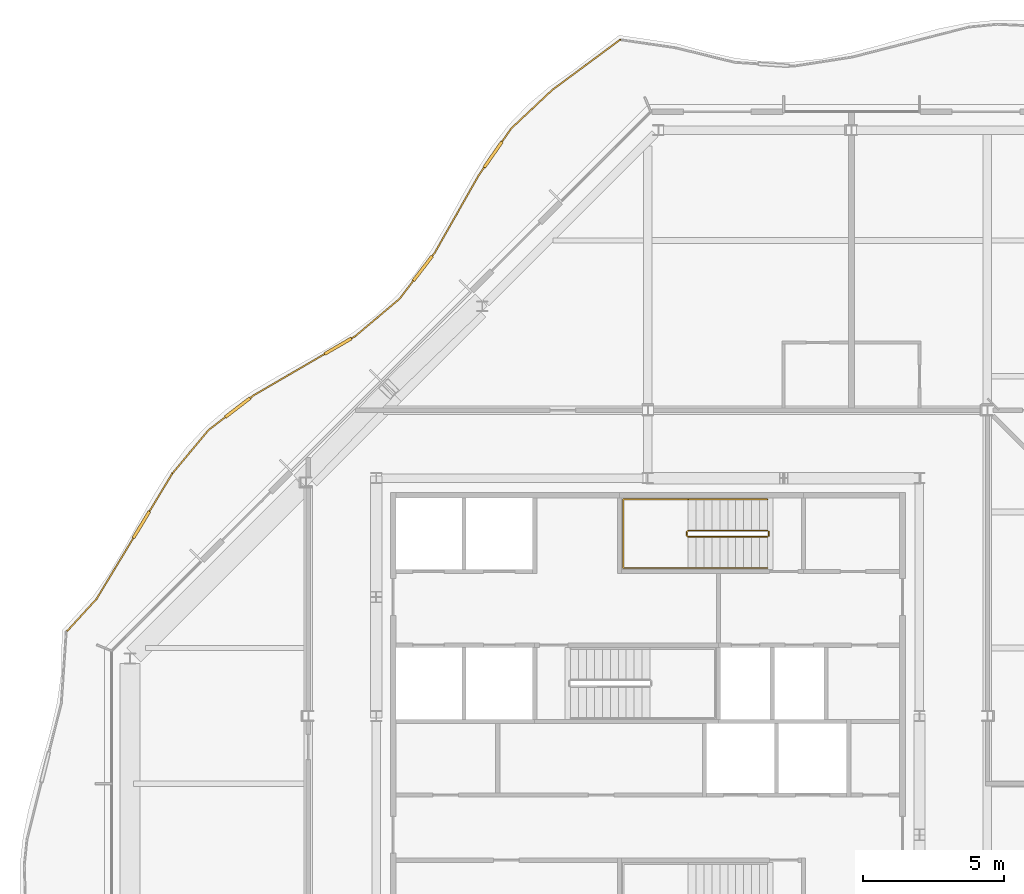
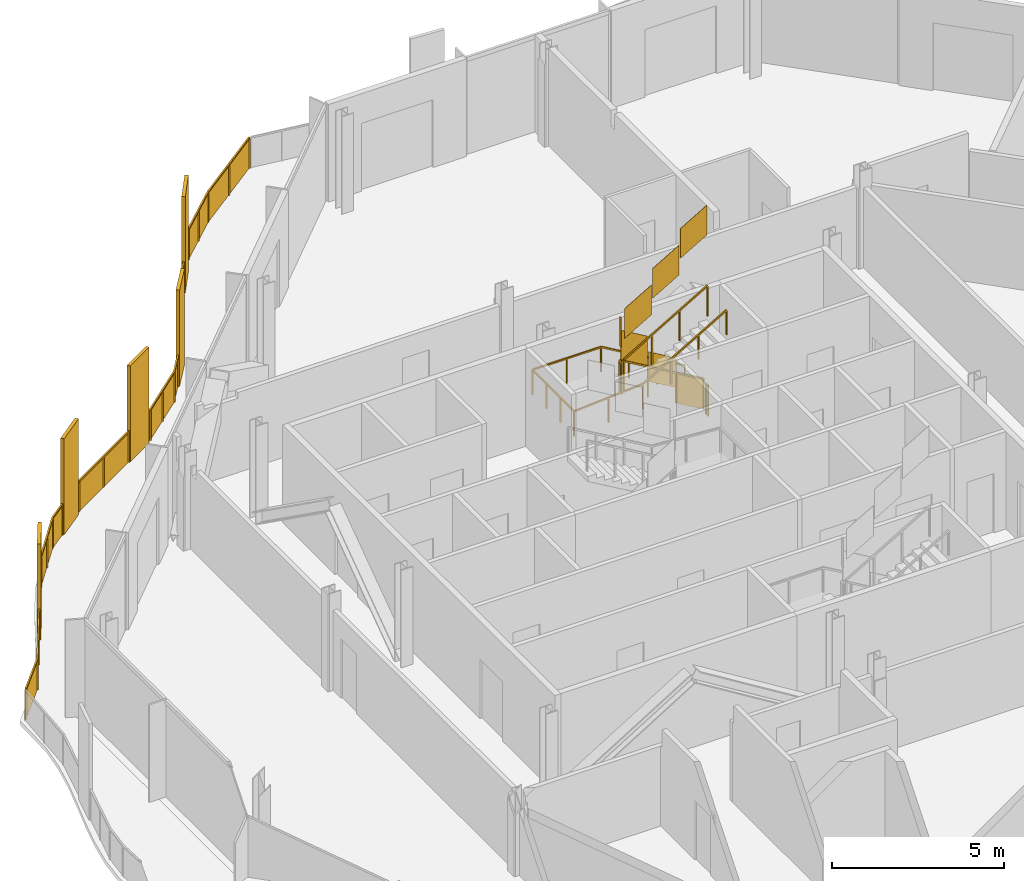
# One storey, part 15 of 16: 4 railings.
"""IFC4 building model written with IfcOpenShell, lengths in metres."""

from ifc_helpers import new_model, si_unit, direction, frame, origin, origin_2d, place, context, subcontext, project, spatial, polyline, rectangle, outline, extrude, material, type_object, element, save


model = new_model("IFC4")

# Units and contexts
model_context = context("Model", 3, precision=1e-05, world=origin(), true_north=direction((0.0, 1.0)))
body_context = subcontext(model_context, "Body", "Model", "MODEL_VIEW")
ifc_project = project(units=[si_unit("LENGTHUNIT", "METRE"), si_unit("AREAUNIT", "SQUARE_METRE"), si_unit("VOLUMEUNIT", "CUBIC_METRE"), si_unit("PLANEANGLEUNIT", "RADIAN"), si_unit("MASSUNIT", "GRAM", prefix="KILO")], contexts=[model_context])

# Site, building, storey
site_placement = place(None, origin())
site = spatial("IfcSite", under=ifc_project, at=site_placement, CompositionType="ELEMENT")
building_placement = place(site_placement, origin())
building = spatial("IfcBuilding", under=site, at=building_placement, Name="Cairn Pilgrim Tower", CompositionType="ELEMENT")
storey_placement = place(building_placement, frame((0.0, 0.0, 288.60009765625)))
storey = spatial("IfcBuildingStorey", under=building, at=storey_placement, Name="L74", CompositionType="ELEMENT", Elevation=288.60009765625)

# Railings
ifc_material_1 = material(Name="Bronze anodised aluminium rail, posts and fin screens with laminated glass infill", Category="aluminium")
railing_type_1 = type_object("IfcRailingType", Name="BALCONY GUARD WITH FIN SCREENS", PredefinedType="GUARDRAIL", material=ifc_material_1)
railing_1_placement = place(storey_placement, frame((6.222412109375, 26.2978515625, 0.0)))
element("IfcRailing", 1, at=railing_1_placement, inside=storey, type_object=railing_type_1, Name="Balcony guard BGF-6 with fin screens", PredefinedType="GUARDRAIL", context=body_context, shape_type="SweptSolid", body=[
    extrude(rectangle(XDim=0.050048828125, YDim=0.050048828125, at=origin_2d()), frame((0.0, 0.0, 1.0751953125), z_axis=(-0.80364827647, -0.595104568733, 0.0), x_axis=(0.595104568733, -0.80364827647, 0.0)), (0.0, 0.0, 1.0), 2.9912109375),
    extrude(rectangle(XDim=0.050048828125, YDim=0.050048828125, at=origin_2d()), frame((-2.40380859375, -1.780029296875, 1.0751953125), z_axis=(-0.728751478376, -0.684778272702, 0.0), x_axis=(0.684778272702, -0.728751478376, 0.0)), (0.0, 0.0, 1.0), 1.987548828125),
    extrude(rectangle(XDim=1.10009765625, YDim=0.110107421875, at=origin_2d()), frame((-4.490478515625, -4.060546875, 0.0), z_axis=(0.0, 0.0, 1.0), x_axis=(-0.570239611203, -0.821478414698, 0.0)), (0.0, 0.0, 1.0), 3.39990234375),
    extrude(rectangle(XDim=0.050048828125, YDim=0.050048828125, at=origin_2d()), frame((-3.852294921875, -3.14111328125, 1.0751953125), z_axis=(-0.570239611203, -0.821478414698, 0.0), x_axis=(0.821478414698, -0.570239611203, 0.0)), (0.0, 0.0, 1.0), 0.5693359375),
    extrude(rectangle(XDim=0.050048828125, YDim=0.050048828125, at=origin_2d()), frame((-4.80419921875, -4.512451171875, 1.0751953125), z_axis=(-0.570239611203, -0.821478414698, 0.0), x_axis=(0.821478414698, -0.570239611203, 0.0)), (0.0, 0.0, 1.0), 0.351806640625),
    extrude(rectangle(XDim=0.050048828125, YDim=0.050048828125, at=origin_2d()), frame((-5.0048828125, -4.801513671875, 1.0751953125), z_axis=(-0.493258278527, -0.869882906295, 0.0), x_axis=(0.869882906295, -0.493258278527, 0.0)), (0.0, 0.0, 1.0), 3.133544921875),
    extrude(rectangle(XDim=1.10009765625, YDim=0.110107421875, at=origin_2d()), frame((-6.975341796875, -8.083740234375, 0.0), z_axis=(0.0, 0.0, 1.0), x_axis=(-0.606912239602, -0.794768855342, 0.0)), (0.0, 0.0, 1.0), 3.39990234375),
    extrude(rectangle(XDim=0.050048828125, YDim=0.050048828125, at=origin_2d()), frame((-6.550537109375, -7.52734375, 1.0751953125), z_axis=(-0.606912239602, -0.794768855342, 0.0), x_axis=(0.794768855342, -0.606912239602, 0.0)), (0.0, 0.0, 1.0), 0.14990234375),
    extrude(rectangle(XDim=0.050048828125, YDim=0.050048828125, at=origin_2d()), frame((-7.30908203125, -8.520751953125, 1.0751953125), z_axis=(-0.606912239602, -0.794768855342, 0.0), x_axis=(0.794768855342, -0.606912239602, 0.0)), (0.0, 0.0, 1.0), 0.805908203125),
    extrude(rectangle(XDim=0.050048828125, YDim=0.050048828125, at=origin_2d()), frame((-7.79833984375, -9.161376953125, 1.0751953125), z_axis=(-0.765007010988, -0.644021950821, 0.0), x_axis=(0.644021950821, -0.765007010988, 0.0)), (0.0, 0.0, 1.0), 2.048095703125),
    extrude(rectangle(XDim=1.10009765625, YDim=0.110107421875, at=origin_2d()), frame((-9.97021484375, -10.832763671875, 0.0), z_axis=(0.0, 0.0, 1.0), x_axis=(-0.864150850592, -0.503232856062, 0.0)), (0.0, 0.0, 1.0), 3.39990234375),
    extrude(rectangle(XDim=0.050048828125, YDim=0.050048828125, at=origin_2d()), frame((-9.365234375, -10.48046875, 1.0751953125), z_axis=(-0.864150850592, -0.503232856062, 0.0), x_axis=(0.503232856062, -0.864150850592, 0.0)), (0.0, 0.0, 1.0), 0.14990234375),
    extrude(rectangle(XDim=0.050048828125, YDim=0.050048828125, at=origin_2d()), frame((-10.4453125, -11.109375, 1.0751953125), z_axis=(-0.864150850592, -0.503232856062, 0.0), x_axis=(0.503232856062, -0.864150850592, 0.0)), (0.0, 0.0, 1.0), 2.91357421875),
    extrude(rectangle(XDim=1.10009765625, YDim=0.110107421875, at=origin_2d()), frame((-13.517578125, -13.003173828125, 0.0), z_axis=(0.0, 0.0, 1.0), x_axis=(-0.792043363652, -0.610464831169, 0.0)), (0.0, 0.0, 1.0), 3.39990234375),
    extrude(rectangle(XDim=0.050048828125, YDim=0.050048828125, at=origin_2d()), frame((-12.963134765625, -12.57568359375, 1.0751953125), z_axis=(-0.792043363652, -0.610464831169, 0.0), x_axis=(0.610464831169, -0.792043363652, 0.0)), (0.0, 0.0, 1.0), 0.150146484375),
    extrude(rectangle(XDim=0.050048828125, YDim=0.050048828125, at=origin_2d()), frame((-13.953369140625, -13.3388671875, 1.0751953125), z_axis=(-0.792043363652, -0.610464831169, 0.0), x_axis=(0.610464831169, -0.792043363652, 0.0)), (0.0, 0.0, 1.0), 0.751953125),
    extrude(rectangle(XDim=0.050048828125, YDim=0.050048828125, at=origin_2d()), frame((-14.548828125, -13.7978515625, 1.0751953125), z_axis=(-0.64035318165, -0.76808059652, 0.0), x_axis=(0.76808059652, -0.64035318165, 0.0)), (0.0, 0.0, 1.0), 1.99169921875),
    extrude(rectangle(XDim=1.10009765625, YDim=0.110107421875, at=origin_2d()), frame((-16.9208984375, -17.142822265625, 0.0), z_axis=(0.0, 0.0, 1.0), x_axis=(-0.517112044982, -0.855917713881, 0.0)), (0.0, 0.0, 1.0), 3.39990234375),
    extrude(rectangle(XDim=0.050048828125, YDim=0.050048828125, at=origin_2d()), frame((-15.82421875, -15.32763671875, 1.0751953125), z_axis=(-0.517112044982, -0.855917713881, 0.0), x_axis=(0.855917713881, -0.517112044982, 0.0)), (0.0, 0.0, 1.0), 1.570556640625),
    extrude(rectangle(XDim=0.050048828125, YDim=0.050048828125, at=origin_2d()), frame((-17.205322265625, -17.613525390625, 1.0751953125), z_axis=(-0.517112044982, -0.855917713881, 0.0), x_axis=(0.855917713881, -0.517112044982, 0.0)), (0.0, 0.0, 1.0), 2.511962890625),
    extrude(rectangle(XDim=0.050048828125, YDim=0.050048828125, at=origin_2d()), frame((-18.504150390625, -19.763427734375, 1.0751953125), z_axis=(-0.674424312938, -0.738343989017, 0.0), x_axis=(0.738343989017, -0.674424312938, 0.0)), (0.0, 0.0, 1.0), 1.531494140625),
    extrude(rectangle(XDim=0.050048828125, YDim=0.050048828125, at=origin_2d()), origin(), (0.0, 0.0, 1.0), 1.050048828125),
    extrude(rectangle(XDim=0.050048828125, YDim=0.050048828125, at=origin_2d()), frame((-1.201904296875, -0.89013671875, 0.0)), (0.0, 0.0, 1.0), 1.050048828125),
    extrude(rectangle(XDim=0.050048828125, YDim=0.050048828125, at=origin_2d()), frame((-2.40380859375, -1.780029296875, 0.0)), (0.0, 0.0, 1.0), 1.050048828125),
    extrude(rectangle(XDim=0.050048828125, YDim=0.050048828125, at=origin_2d()), frame((-3.1279296875, -2.46044921875, 0.0)), (0.0, 0.0, 1.0), 1.050048828125),
    extrude(rectangle(XDim=0.050048828125, YDim=0.050048828125, at=origin_2d()), frame((-3.852294921875, -3.14111328125, 0.0)), (0.0, 0.0, 1.0), 1.050048828125),
    extrude(rectangle(XDim=0.050048828125, YDim=0.050048828125, at=origin_2d()), frame((-4.16259765625, -3.58837890625, 0.0)), (0.0, 0.0, 1.0), 1.050048828125),
    extrude(rectangle(XDim=0.050048828125, YDim=0.050048828125, at=origin_2d()), frame((-4.818603515625, -4.532958984375, 0.0)), (0.0, 0.0, 1.0), 1.050048828125),
    extrude(rectangle(XDim=0.050048828125, YDim=0.050048828125, at=origin_2d()), frame((-5.0048828125, -4.801513671875, 0.0)), (0.0, 0.0, 1.0), 1.050048828125),
    extrude(rectangle(XDim=0.050048828125, YDim=0.050048828125, at=origin_2d()), frame((-5.77783203125, -6.16455078125, 0.0)), (0.0, 0.0, 1.0), 1.050048828125),
    extrude(rectangle(XDim=0.050048828125, YDim=0.050048828125, at=origin_2d()), frame((-6.550537109375, -7.52734375, 0.0)), (0.0, 0.0, 1.0), 1.050048828125),
    extrude(rectangle(XDim=0.050048828125, YDim=0.050048828125, at=origin_2d()), frame((-6.62646484375, -7.626708984375, 0.0)), (0.0, 0.0, 1.0), 1.050048828125),
    extrude(rectangle(XDim=0.050048828125, YDim=0.050048828125, at=origin_2d()), frame((-7.32421875, -8.540771484375, 0.0)), (0.0, 0.0, 1.0), 1.050048828125),
    extrude(rectangle(XDim=0.050048828125, YDim=0.050048828125, at=origin_2d()), frame((-7.79833984375, -9.161376953125, 0.0)), (0.0, 0.0, 1.0), 1.050048828125),
    extrude(rectangle(XDim=0.050048828125, YDim=0.050048828125, at=origin_2d()), frame((-8.581787109375, -9.82080078125, 0.0)), (0.0, 0.0, 1.0), 1.050048828125),
    extrude(rectangle(XDim=0.050048828125, YDim=0.050048828125, at=origin_2d()), frame((-9.365234375, -10.48046875, 0.0)), (0.0, 0.0, 1.0), 1.050048828125),
    extrude(rectangle(XDim=0.050048828125, YDim=0.050048828125, at=origin_2d()), frame((-9.47314453125, -10.54345703125, 0.0)), (0.0, 0.0, 1.0), 1.050048828125),
    extrude(rectangle(XDim=0.050048828125, YDim=0.050048828125, at=origin_2d()), frame((-10.467041015625, -11.1220703125, 0.0)), (0.0, 0.0, 1.0), 1.050048828125),
    extrude(rectangle(XDim=0.050048828125, YDim=0.050048828125, at=origin_2d()), frame((-11.715087890625, -11.848876953125, 0.0)), (0.0, 0.0, 1.0), 1.050048828125),
    extrude(rectangle(XDim=0.050048828125, YDim=0.050048828125, at=origin_2d()), frame((-12.963134765625, -12.57568359375, 0.0)), (0.0, 0.0, 1.0), 1.050048828125),
    extrude(rectangle(XDim=0.050048828125, YDim=0.050048828125, at=origin_2d()), frame((-13.062255859375, -12.652099609375, 0.0)), (0.0, 0.0, 1.0), 1.050048828125),
    extrude(rectangle(XDim=0.050048828125, YDim=0.050048828125, at=origin_2d()), frame((-13.97314453125, -13.354248046875, 0.0)), (0.0, 0.0, 1.0), 1.050048828125),
    extrude(rectangle(XDim=0.050048828125, YDim=0.050048828125, at=origin_2d()), frame((-14.548828125, -13.7978515625, 0.0)), (0.0, 0.0, 1.0), 1.050048828125),
    extrude(rectangle(XDim=0.050048828125, YDim=0.050048828125, at=origin_2d()), frame((-15.1865234375, -14.562744140625, 0.0)), (0.0, 0.0, 1.0), 1.050048828125),
    extrude(rectangle(XDim=0.050048828125, YDim=0.050048828125, at=origin_2d()), frame((-15.82421875, -15.32763671875, 0.0)), (0.0, 0.0, 1.0), 1.050048828125),
    extrude(rectangle(XDim=0.050048828125, YDim=0.050048828125, at=origin_2d()), frame((-16.62353515625, -16.650634765625, 0.0)), (0.0, 0.0, 1.0), 1.050048828125),
    extrude(rectangle(XDim=0.050048828125, YDim=0.050048828125, at=origin_2d()), frame((-17.21826171875, -17.635009765625, 0.0)), (0.0, 0.0, 1.0), 1.050048828125),
    extrude(rectangle(XDim=0.050048828125, YDim=0.050048828125, at=origin_2d()), frame((-17.861083984375, -18.69921875, 0.0)), (0.0, 0.0, 1.0), 1.050048828125),
    extrude(rectangle(XDim=0.050048828125, YDim=0.050048828125, at=origin_2d()), frame((-18.504150390625, -19.763427734375, 0.0)), (0.0, 0.0, 1.0), 1.050048828125),
    extrude(rectangle(XDim=0.050048828125, YDim=0.050048828125, at=origin_2d()), frame((-19.537109375, -20.894287109375, 0.0)), (0.0, 0.0, 1.0), 1.050048828125),
    extrude(outline(polyline([(0.02490234375, 0.0), (1.470458984375, 0.0), (1.470458984375, 1.050048828125), (0.02490234375, 1.050048828125), (0.02490234375, 0.0)])), frame((0.003662109375, -0.0048828125, 0.0), z_axis=(-0.595104568733, 0.80364827647, 0.0), x_axis=(-0.80364827647, -0.595104568733, 0.0)), (0.0, 0.0, 1.0), 0.011962890625),
    extrude(outline(polyline([(0.02490234375, 0.0), (1.470458984375, 0.0), (1.470458984375, 1.050048828125), (0.02490234375, 1.050048828125), (0.02490234375, 0.0)])), frame((-1.1982421875, -0.894775390625, 0.0), z_axis=(-0.595104568733, 0.80364827647, 0.0), x_axis=(-0.80364827647, -0.595104568733, 0.0)), (0.0, 0.0, 1.0), 0.011962890625),
    extrude(outline(polyline([(0.02490234375, 0.0), (0.96875, 0.0), (0.96875, 1.050048828125), (0.02490234375, 1.050048828125), (0.02490234375, 0.0)])), frame((-2.399658203125, -1.784423828125, 0.0), z_axis=(-0.684778272702, 0.728751478376, 0.0), x_axis=(-0.728751478376, -0.684778272702, 0.0)), (0.0, 0.0, 1.0), 0.011962890625),
    extrude(outline(polyline([(0.02490234375, 0.0), (0.96875, 0.0), (0.96875, 1.050048828125), (0.02490234375, 1.050048828125), (0.02490234375, 0.0)])), frame((-3.1240234375, -2.46484375, 0.0), z_axis=(-0.684778272702, 0.728751478376, 0.0), x_axis=(-0.728751478376, -0.684778272702, 0.0)), (0.0, 0.0, 1.0), 0.011962890625),
    extrude(outline(polyline([(0.02490234375, 0.0), (0.519287109375, 0.0), (0.519287109375, 1.050048828125), (0.02490234375, 1.050048828125), (0.02490234375, 0.0)])), frame((-3.847412109375, -3.14453125, 0.0), z_axis=(-0.821478414698, 0.570239611203, 0.0), x_axis=(-0.570239611203, -0.821478414698, 0.0)), (0.0, 0.0, 1.0), 0.011962890625),
    extrude(outline(polyline([(0.02490234375, 0.0), (0.3017578125, 0.0), (0.3017578125, 1.050048828125), (0.02490234375, 1.050048828125), (0.02490234375, 0.0)])), frame((-4.8134765625, -4.536376953125, 0.0), z_axis=(-0.821478414698, 0.570239611203, 0.0), x_axis=(-0.570239611203, -0.821478414698, 0.0)), (0.0, 0.0, 1.0), 0.011962890625),
    extrude(outline(polyline([(0.02490234375, 0.0), (1.541748046875, 0.0), (1.541748046875, 1.050048828125), (0.02490234375, 1.050048828125), (0.02490234375, 0.0)])), frame((-4.999755859375, -4.804443359375, 0.0), z_axis=(-0.869882906295, 0.493258278527, 0.0), x_axis=(-0.493258278527, -0.869882906295, 0.0)), (0.0, 0.0, 1.0), 0.011962890625),
    extrude(outline(polyline([(0.02490234375, 0.0), (1.541748046875, 0.0), (1.541748046875, 1.050048828125), (0.02490234375, 1.050048828125), (0.02490234375, 0.0)])), frame((-5.7724609375, -6.16748046875, 0.0), z_axis=(-0.869882906295, 0.493258278527, 0.0), x_axis=(-0.493258278527, -0.869882906295, 0.0)), (0.0, 0.0, 1.0), 0.011962890625),
    extrude(outline(polyline([(0.02490234375, 0.0), (0.099853515625, 0.0), (0.099853515625, 1.050048828125), (0.02490234375, 1.050048828125), (0.02490234375, 0.0)])), frame((-6.5458984375, -7.531005859375, 0.0), z_axis=(-0.794768855342, 0.606912239602, 0.0), x_axis=(-0.606912239602, -0.794768855342, 0.0)), (0.0, 0.0, 1.0), 0.011962890625),
    extrude(outline(polyline([(0.02490234375, 0.0), (0.755859375, 0.0), (0.755859375, 1.050048828125), (0.02490234375, 1.050048828125), (0.02490234375, 0.0)])), frame((-7.319580078125, -8.544189453125, 0.0), z_axis=(-0.794768855342, 0.606912239602, 0.0), x_axis=(-0.606912239602, -0.794768855342, 0.0)), (0.0, 0.0, 1.0), 0.011962890625),
    extrude(outline(polyline([(0.02490234375, 0.0), (0.9990234375, 0.0), (0.9990234375, 1.050048828125), (0.02490234375, 1.050048828125), (0.02490234375, 0.0)])), frame((-7.79443359375, -9.166015625, 0.0), z_axis=(-0.644021950821, 0.765007010988, 0.0), x_axis=(-0.765007010988, -0.644021950821, 0.0)), (0.0, 0.0, 1.0), 0.011962890625),
    extrude(outline(polyline([(0.02490234375, 0.0), (0.9990234375, 0.0), (0.9990234375, 1.050048828125), (0.02490234375, 1.050048828125), (0.02490234375, 0.0)])), frame((-8.577880859375, -9.825439453125, 0.0), z_axis=(-0.644021950821, 0.765007010988, 0.0), x_axis=(-0.765007010988, -0.644021950821, 0.0)), (0.0, 0.0, 1.0), 0.011962890625),
    extrude(outline(polyline([(0.02490234375, 0.0), (0.099853515625, 0.0), (0.099853515625, 1.050048828125), (0.02490234375, 1.050048828125), (0.02490234375, 0.0)])), frame((-9.3623046875, -10.485595703125, 0.0), z_axis=(-0.503232856062, 0.864150850593, 0.0), x_axis=(-0.864150850593, -0.503232856062, 0.0)), (0.0, 0.0, 1.0), 0.011962890625),
    extrude(outline(polyline([(0.02490234375, 0.0), (1.419189453125, 0.0), (1.419189453125, 1.050048828125), (0.02490234375, 1.050048828125), (0.02490234375, 0.0)])), frame((-10.464111328125, -11.127197265625, 0.0), z_axis=(-0.503232856062, 0.864150850592, 0.0), x_axis=(-0.864150850592, -0.503232856062, 0.0)), (0.0, 0.0, 1.0), 0.011962890625),
    extrude(outline(polyline([(0.02490234375, 0.0), (1.419189453125, 0.0), (1.419189453125, 1.050048828125), (0.02490234375, 1.050048828125), (0.02490234375, 0.0)])), frame((-11.712158203125, -11.85400390625, 0.0), z_axis=(-0.503232856062, 0.864150850592, 0.0), x_axis=(-0.864150850592, -0.503232856062, 0.0)), (0.0, 0.0, 1.0), 0.011962890625),
    extrude(outline(polyline([(0.02490234375, 0.0), (0.10009765625, 0.0), (0.10009765625, 1.050048828125), (0.02490234375, 1.050048828125), (0.02490234375, 0.0)])), frame((-12.95947265625, -12.580322265625, 0.0), z_axis=(-0.610464831169, 0.792043363652, 0.0), x_axis=(-0.792043363652, -0.610464831169, 0.0)), (0.0, 0.0, 1.0), 0.011962890625),
    extrude(outline(polyline([(0.02490234375, 0.0), (0.701904296875, 0.0), (0.701904296875, 1.050048828125), (0.02490234375, 1.050048828125), (0.02490234375, 0.0)])), frame((-13.969482421875, -13.35888671875, 0.0), z_axis=(-0.610464831169, 0.792043363652, 0.0), x_axis=(-0.792043363652, -0.610464831169, 0.0)), (0.0, 0.0, 1.0), 0.011962890625),
    extrude(outline(polyline([(0.02490234375, 0.0), (0.970703125, 0.0), (0.970703125, 1.050048828125), (0.02490234375, 1.050048828125), (0.02490234375, 0.0)])), frame((-14.544189453125, -13.8017578125, 0.0), z_axis=(-0.76808059652, 0.64035318165, 0.0), x_axis=(-0.64035318165, -0.76808059652, 0.0)), (0.0, 0.0, 1.0), 0.011962890625),
    extrude(outline(polyline([(0.02490234375, 0.0), (0.970703125, 0.0), (0.970703125, 1.050048828125), (0.02490234375, 1.050048828125), (0.02490234375, 0.0)])), frame((-15.181884765625, -14.566650390625, 0.0), z_axis=(-0.76808059652, 0.64035318165, 0.0), x_axis=(-0.64035318165, -0.76808059652, 0.0)), (0.0, 0.0, 1.0), 0.011962890625),
    extrude(outline(polyline([(0.02490234375, 0.0), (1.5205078125, 0.0), (1.5205078125, 1.050048828125), (0.02490234375, 1.050048828125), (0.02490234375, 0.0)])), frame((-15.819091796875, -15.330810546875, 0.0), z_axis=(-0.855917713881, 0.517112044982, 0.0), x_axis=(-0.517112044982, -0.855917713881, 0.0)), (0.0, 0.0, 1.0), 0.011962890625),
    extrude(outline(polyline([(0.02490234375, 0.0), (1.218505859375, 0.0), (1.218505859375, 1.050048828125), (0.02490234375, 1.050048828125), (0.02490234375, 0.0)])), frame((-17.213134765625, -17.637939453125, 0.0), z_axis=(-0.855917713881, 0.517112044982, 0.0), x_axis=(-0.517112044982, -0.855917713881, 0.0)), (0.0, 0.0, 1.0), 0.011962890625),
    extrude(outline(polyline([(0.02490234375, 0.0), (1.218505859375, 0.0), (1.218505859375, 1.050048828125), (0.02490234375, 1.050048828125), (0.02490234375, 0.0)])), frame((-17.85595703125, -18.7021484375, 0.0), z_axis=(-0.855917713881, 0.517112044982, 0.0), x_axis=(-0.517112044982, -0.855917713881, 0.0)), (0.0, 0.0, 1.0), 0.011962890625),
    extrude(outline(polyline([(0.02490234375, 0.0), (1.506591796875, 0.0), (1.506591796875, 1.050048828125), (0.02490234375, 1.050048828125), (0.02490234375, 0.0)])), frame((-18.499755859375, -19.767578125, 0.0), z_axis=(-0.738343989017, 0.674424312938, 0.0), x_axis=(-0.674424312938, -0.738343989017, 0.0)), (0.0, 0.0, 1.0), 0.011962890625),
])
ifc_material_2 = material(Name="Painted steel", Category="steel")
railing_type_2 = type_object("IfcRailingType", Name="STAIR GUARD 1100", PredefinedType="GUARDRAIL", material=ifc_material_2)
railing_2_placement = place(storey_placement, frame((11.425048828125, 8.949951171875, 0.16357421875)))
element("IfcRailing", 2, at=railing_2_placement, inside=storey, type_object=railing_type_2, Name="L74 ST-C stair guard 1", PredefinedType="GUARDRAIL", context=body_context, shape_type="SweptSolid", body=[
    extrude(rectangle(XDim=0.048095703125, YDim=0.048095703125, at=origin_2d()), frame((0.0, 0.0, 1.076171875), z_axis=(-0.863393664356, 0.0, 0.504530851732), x_axis=(0.0, -1.0, 0.0)), (0.0, 0.0, 1.0), 3.2431640625),
    extrude(rectangle(XDim=0.048095703125, YDim=0.048095703125, at=origin_2d()), frame((-2.800048828125, 0.0, 2.71240234375), z_axis=(-0.707106781187, -0.707106781187, 0.0), x_axis=(0.707106781187, -0.707106781187, 0.0)), (0.0, 0.0, 1.0), 0.07080078125),
    extrude(rectangle(XDim=0.048095703125, YDim=0.048095703125, at=origin_2d()), frame((-2.85009765625, -0.050048828125, 2.71240234375), z_axis=(0.0, -1.0, 0.0), x_axis=(1.0, 0.0, 0.0)), (0.0, 0.0, 1.0), 0.125),
    extrude(rectangle(XDim=0.048095703125, YDim=0.048095703125, at=origin_2d()), frame((-2.85009765625, -0.175048828125, 2.71240234375), z_axis=(0.280563532951, -0.279194930351, 0.91833234444), x_axis=(0.705375805398, 0.708833529934, 0.0)), (0.0, 0.0, 1.0), 0.178466796875),
    extrude(rectangle(XDim=0.048095703125, YDim=0.048095703125, at=origin_2d()), frame((-2.800048828125, -0.224853515625, 2.8759765625), z_axis=(0.863393664356, 0.0, 0.504530851732), x_axis=(0.0, 1.0, 0.0)), (0.0, 0.0, 1.0), 3.2431640625),
    extrude(rectangle(XDim=0.0419921875, YDim=0.0419921875, at=origin_2d()), origin(), (0.0, 0.0, 1.0), 1.052001953125),
    extrude(rectangle(XDim=0.0419921875, YDim=0.0419921875, at=origin_2d()), frame((-0.933349609375, 0.0, 0.54541015625)), (0.0, 0.0, 1.0), 1.052001953125),
    extrude(rectangle(XDim=0.0419921875, YDim=0.0419921875, at=origin_2d()), frame((-1.86669921875, 0.0, 1.0908203125)), (0.0, 0.0, 1.0), 1.052001953125),
    extrude(rectangle(XDim=0.0419921875, YDim=0.0419921875, at=origin_2d()), frame((-2.800048828125, 0.0, 1.63623046875)), (0.0, 0.0, 1.0), 1.052001953125),
    extrude(rectangle(XDim=0.0419921875, YDim=0.0419921875, at=origin_2d()), frame((-2.85009765625, -0.050048828125, 1.63623046875)), (0.0, 0.0, 1.0), 1.052001953125),
    extrude(rectangle(XDim=0.0419921875, YDim=0.0419921875, at=origin_2d()), frame((-2.85009765625, -0.175048828125, 1.63623046875)), (0.0, 0.0, 1.0), 1.052001953125),
    extrude(rectangle(XDim=0.0419921875, YDim=0.0419921875, at=origin_2d()), frame((-2.800048828125, -0.224853515625, 1.800048828125)), (0.0, 0.0, 1.0), 1.052001953125),
    extrude(rectangle(XDim=0.0419921875, YDim=0.0419921875, at=origin_2d()), frame((-1.86669921875, -0.224853515625, 2.345458984375)), (0.0, 0.0, 1.0), 1.052001953125),
    extrude(rectangle(XDim=0.0419921875, YDim=0.0419921875, at=origin_2d()), frame((-0.933349609375, -0.224853515625, 2.890869140625)), (0.0, 0.0, 1.0), 1.052001953125),
    extrude(rectangle(XDim=0.0419921875, YDim=0.0419921875, at=origin_2d()), frame((0.0, -0.224853515625, 3.436279296875)), (0.0, 0.0, 1.0), 1.052001953125),
    extrude(outline(polyline([(0.02099609375, 0.01220703125), (0.912353515625, 0.533203125), (0.912353515625, 1.585205078125), (0.02099609375, 1.064208984375), (0.02099609375, 0.01220703125)])), frame((0.0, -0.005859375, 0.0), z_axis=(0.0, 1.0, 0.0), x_axis=(-1.0, 0.0, 0.0)), (0.0, 0.0, 1.0), 0.011962890625),
    extrude(outline(polyline([(0.02099609375, 0.5576171875), (0.912353515625, 1.07861328125), (0.912353515625, 2.130615234375), (0.02099609375, 1.609619140625), (0.02099609375, 0.5576171875)])), frame((-0.933349609375, -0.005859375, 0.54541015625), z_axis=(0.0, 1.0, 0.0), x_axis=(-1.0, 0.0, 0.0)), (0.0, 0.0, 1.0), 0.011962890625),
    extrude(outline(polyline([(0.02099609375, 1.10302734375), (0.912353515625, 1.6240234375), (0.912353515625, 2.676025390625), (0.02099609375, 2.155029296875), (0.02099609375, 1.10302734375)])), frame((-1.86669921875, -0.005859375, 1.0908203125), z_axis=(0.0, 1.0, 0.0), x_axis=(-1.0, 0.0, 0.0)), (0.0, 0.0, 1.0), 0.011962890625),
    extrude(outline(polyline([(0.02099609375, 1.63623046875), (0.10400390625, 1.63623046875), (0.10400390625, 2.688232421875), (0.02099609375, 2.688232421875), (0.02099609375, 1.63623046875)])), frame((-2.84423828125, -0.050048828125, 1.63623046875), z_axis=(-1.0, 0.0, 0.0), x_axis=(0.0, -1.0, 0.0)), (0.0, 0.0, 1.0), 0.011962890625),
    extrude(outline(polyline([(0.02099609375, 1.812255859375), (0.912353515625, 2.333251953125), (0.912353515625, 3.38525390625), (0.02099609375, 2.8642578125), (0.02099609375, 1.812255859375)])), frame((-2.800048828125, -0.21875, 1.800048828125), z_axis=(0.0, -1.0, 0.0), x_axis=(1.0, 0.0, 0.0)), (0.0, 0.0, 1.0), 0.011962890625),
    extrude(outline(polyline([(0.02099609375, 2.357666015625), (0.912353515625, 2.878662109375), (0.912353515625, 3.9306640625), (0.02099609375, 3.40966796875), (0.02099609375, 2.357666015625)])), frame((-1.86669921875, -0.21875, 2.345458984375), z_axis=(0.0, -1.0, 0.0), x_axis=(1.0, 0.0, 0.0)), (0.0, 0.0, 1.0), 0.011962890625),
    extrude(outline(polyline([(0.02099609375, 2.903076171875), (0.912353515625, 3.424072265625), (0.912353515625, 4.47607421875), (0.02099609375, 3.955078125), (0.02099609375, 2.903076171875)])), frame((-0.933349609375, -0.21875, 2.890869140625), z_axis=(0.0, -1.0, 0.0), x_axis=(1.0, 0.0, 0.0)), (0.0, 0.0, 1.0), 0.011962890625),
])
railing_3_placement = place(storey_placement, frame((11.47509765625, 8.89990234375, 0.0)))
element("IfcRailing", 3, at=railing_3_placement, inside=storey, type_object=railing_type_2, Name="L74 ST-C stair guard 2", PredefinedType="GUARDRAIL", context=body_context, shape_type="SweptSolid", body=[
    extrude(rectangle(XDim=0.048095703125, YDim=0.048095703125, at=origin_2d()), frame((0.0, 0.0, 1.076171875), z_axis=(0.0, -1.0, 0.0), x_axis=(1.0, 0.0, 0.0)), (0.0, 0.0, 1.0), 0.125),
    extrude(rectangle(XDim=0.0419921875, YDim=0.0419921875, at=origin_2d()), origin(), (0.0, 0.0, 1.0), 1.052001953125),
    extrude(rectangle(XDim=0.0419921875, YDim=0.0419921875, at=origin_2d()), frame((0.0, -0.125, 0.0)), (0.0, 0.0, 1.0), 1.052001953125),
    extrude(outline(polyline([(0.02099609375, 0.0), (0.10400390625, 0.0), (0.10400390625, 1.052001953125), (0.02099609375, 1.052001953125), (0.02099609375, 0.0)])), frame((0.005859375, 0.0, 0.0), z_axis=(-1.0, 0.0, 0.0), x_axis=(0.0, -1.0, 0.0)), (0.0, 0.0, 1.0), 0.011962890625),
])
railing_type_3 = type_object("IfcRailingType", Name="STAIR HANDRAIL 900", PredefinedType="HANDRAIL", material=ifc_material_2)
railing_4_placement = place(storey_placement, frame((11.425048828125, 10.050048828125, 0.16357421875)))
element("IfcRailing", 4, at=railing_4_placement, inside=storey, type_object=railing_type_3, Name="L74 ST-C stair handrail 1", PredefinedType="HANDRAIL", context=body_context, shape_type="SweptSolid", body=[
    extrude(rectangle(XDim=0.048095703125, YDim=0.048095703125, at=origin_2d()), frame((0.0, 0.0, 0.8759765625), z_axis=(-0.863393664356, 0.0, 0.504530851732), x_axis=(0.0, -1.0, 0.0)), (0.0, 0.0, 1.0), 3.2431640625),
    extrude(rectangle(XDim=0.048095703125, YDim=0.048095703125, at=origin_2d()), frame((-2.800048828125, 0.0, 2.51220703125), z_axis=(-1.0, 0.0, 0.0), x_axis=(0.0, -1.0, 0.0)), (0.0, 0.0, 1.0), 2.300048828125),
    extrude(rectangle(XDim=0.048095703125, YDim=0.048095703125, at=origin_2d()), frame((-5.10009765625, 0.0, 2.51220703125), z_axis=(0.0, -1.0, 0.0), x_axis=(1.0, 0.0, 0.0)), (0.0, 0.0, 1.0), 2.425048828125),
    extrude(rectangle(XDim=0.048095703125, YDim=0.048095703125, at=origin_2d()), frame((-5.10009765625, -2.425048828125, 2.51220703125), z_axis=(0.99747319029, 0.0, 0.071043892441), x_axis=(0.0, 1.0, 0.0)), (0.0, 0.0, 1.0), 2.305908203125),
    extrude(rectangle(XDim=0.048095703125, YDim=0.048095703125, at=origin_2d()), frame((-2.800048828125, -2.425048828125, 2.67578125), z_axis=(0.863393664356, 0.0, 0.504530851732), x_axis=(0.0, 1.0, 0.0)), (0.0, 0.0, 1.0), 3.2431640625),
    extrude(rectangle(XDim=0.0419921875, YDim=0.0419921875, at=origin_2d()), origin(), (0.0, 0.0, 1.0), 0.851806640625),
    extrude(rectangle(XDim=0.0419921875, YDim=0.0419921875, at=origin_2d()), frame((-0.933349609375, 0.0, 0.54541015625)), (0.0, 0.0, 1.0), 0.851806640625),
    extrude(rectangle(XDim=0.0419921875, YDim=0.0419921875, at=origin_2d()), frame((-1.86669921875, 0.0, 1.0908203125)), (0.0, 0.0, 1.0), 0.851806640625),
    extrude(rectangle(XDim=0.0419921875, YDim=0.0419921875, at=origin_2d()), frame((-2.800048828125, 0.0, 1.63623046875)), (0.0, 0.0, 1.0), 0.851806640625),
    extrude(rectangle(XDim=0.0419921875, YDim=0.0419921875, at=origin_2d()), frame((-3.9501953125, 0.0, 1.63623046875)), (0.0, 0.0, 1.0), 0.851806640625),
    extrude(rectangle(XDim=0.0419921875, YDim=0.0419921875, at=origin_2d()), frame((-5.10009765625, 0.0, 1.63623046875)), (0.0, 0.0, 1.0), 0.851806640625),
    extrude(rectangle(XDim=0.0419921875, YDim=0.0419921875, at=origin_2d()), frame((-5.10009765625, -0.808349609375, 1.63623046875)), (0.0, 0.0, 1.0), 0.851806640625),
    extrude(rectangle(XDim=0.0419921875, YDim=0.0419921875, at=origin_2d()), frame((-5.10009765625, -1.61669921875, 1.63623046875)), (0.0, 0.0, 1.0), 0.851806640625),
    extrude(rectangle(XDim=0.0419921875, YDim=0.0419921875, at=origin_2d()), frame((-5.10009765625, -2.425048828125, 1.63623046875)), (0.0, 0.0, 1.0), 0.851806640625),
    extrude(rectangle(XDim=0.0419921875, YDim=0.0419921875, at=origin_2d()), frame((-3.9501953125, -2.425048828125, 1.71826171875)), (0.0, 0.0, 1.0), 0.851806640625),
    extrude(rectangle(XDim=0.0419921875, YDim=0.0419921875, at=origin_2d()), frame((-2.800048828125, -2.425048828125, 1.800048828125)), (0.0, 0.0, 1.0), 0.851806640625),
    extrude(rectangle(XDim=0.0419921875, YDim=0.0419921875, at=origin_2d()), frame((-1.86669921875, -2.425048828125, 2.345458984375)), (0.0, 0.0, 1.0), 0.851806640625),
    extrude(rectangle(XDim=0.0419921875, YDim=0.0419921875, at=origin_2d()), frame((-0.933349609375, -2.425048828125, 2.890869140625)), (0.0, 0.0, 1.0), 0.851806640625),
    extrude(rectangle(XDim=0.0419921875, YDim=0.0419921875, at=origin_2d()), frame((0.0, -2.425048828125, 3.436279296875)), (0.0, 0.0, 1.0), 0.851806640625),
])

save(model, "model.ifc")
